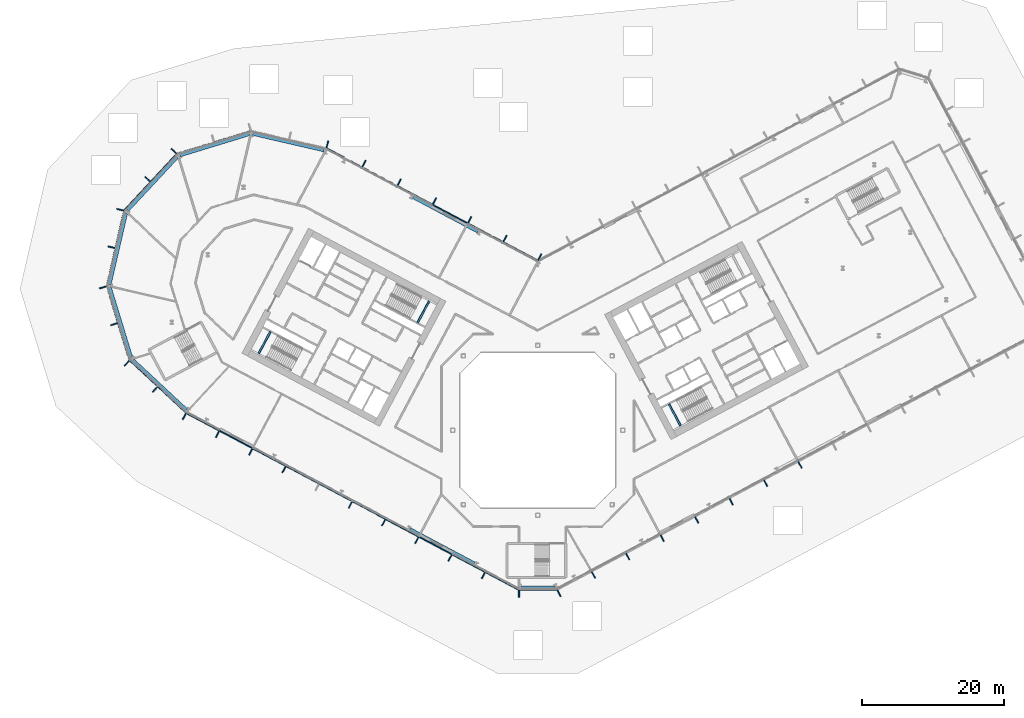
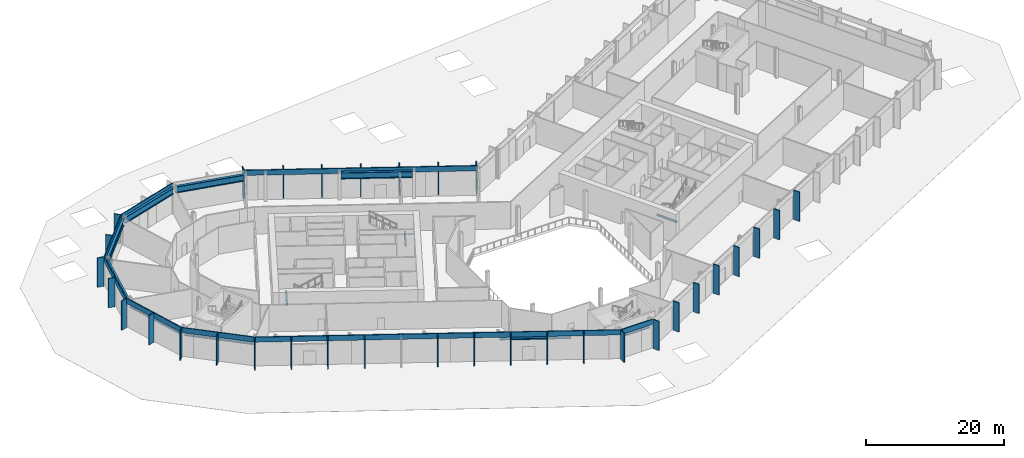
# One storey, part 6 of 30: 41 members, 12 beams, 10 elements without a shape of their own.
"""IFC4 building model written with IfcOpenShell, lengths in metres."""

from ifc_helpers import new_model, si_unit, direction, frame, origin, origin_2d, place, context, subcontext, project, spatial, rectangle, i_section, extrude, material, layer, layer_set, material_profile, profile_set, type_object, element, aggregate, save


model = new_model("IFC4")

# Units and contexts
model_context = context("Model", 3, precision=1e-05, world=origin(), true_north=direction((0.0, 1.0)))
body_context = subcontext(model_context, "Body", "Model", "MODEL_VIEW")
ifc_project = project(units=[si_unit("LENGTHUNIT", "METRE"), si_unit("AREAUNIT", "SQUARE_METRE"), si_unit("VOLUMEUNIT", "CUBIC_METRE"), si_unit("PLANEANGLEUNIT", "RADIAN"), si_unit("MASSUNIT", "GRAM", prefix="KILO")], contexts=[model_context])

# Site, building, storey
site_placement = place(None, origin())
site = spatial("IfcSite", under=ifc_project, at=site_placement, CompositionType="ELEMENT")
building_placement = place(site_placement, origin())
building = spatial("IfcBuilding", under=site, at=building_placement, Name="Cormorant Relay Tower", CompositionType="ELEMENT")
storey_placement = place(building_placement, frame((0.0, 0.0, 7.0)))
storey = spatial("IfcBuildingStorey", under=building, at=storey_placement, Name="L01", CompositionType="ELEMENT", Elevation=7.0)

# Curtain wall, member
ifc_material_1 = material(Name="Aluminium 6063-T6 anodised bronze", Category="aluminium")
ifc_layer = layer(ifc_material_1, 0.235107421875)
ifc_layer_set = layer_set([ifc_layer], Name="CW6 data hall curtain wall with mineral wool panels")
curtain_wall_type = type_object("IfcCurtainWallType", Name="CW6 data hall curtain wall with mineral wool panels", PredefinedType="NOTDEFINED", material=ifc_layer_set)
curtain_wall_1_placement = place(storey_placement, origin())
curtain_wall_1 = element("IfcCurtainWall", 1, at=curtain_wall_1_placement, inside=storey, type_object=curtain_wall_type, Name="CW6 curtain wall 1", PredefinedType="NOTDEFINED")
ifc_material_2 = material(Name="Aluminium 6063-T6 anodised bronze", Category="aluminium")
ifc_material_profile_1 = material_profile(ifc_material_2, rectangle(XDim=0.14990234375, YDim=1.0, at=origin_2d()), Name="AL 150x1000")
ifc_profile_set_1 = profile_set([ifc_material_profile_1], Name="Aluminium 6063-T6 anodised bronze")
member_type_1 = type_object("IfcMemberType", Name="CW6 bronze fin mullion 150 x 1000", PredefinedType="MULLION", material=ifc_profile_set_1)
member_1_placement = place(storey_placement, frame((-2.648681640625, -23.110595703125, 0.0), z_axis=(0.0, 0.0, 1.0), x_axis=(1.0, 0.0, 0.0)))
member_1 = element("IfcMember", 2, at=member_1_placement, type_object=member_type_1, Name="CW6 fin 1.1", PredefinedType="MULLION", context=body_context, shape_type="SweptSolid", body=[
    extrude(rectangle(XDim=0.14990234375, YDim=1.0, at=origin_2d()), origin(), (0.0, 0.0, 1.0), 5.199951171875),
])

# Curtain wall, members
curtain_wall_2_placement = place(storey_placement, origin())
curtain_wall_2 = element("IfcCurtainWall", 3, at=curtain_wall_2_placement, inside=storey, type_object=curtain_wall_type, Name="CW6 curtain wall 2", PredefinedType="NOTDEFINED")
member_2_placement = place(storey_placement, frame((2.993896484375, -23.0244140625, 0.0), z_axis=(0.0, 0.0, 1.0), x_axis=(0.882947592859, 0.469471562786, 0.0)))
member_2 = element("IfcMember", 4, at=member_2_placement, type_object=member_type_1, Name="CW6 fin 2.1", PredefinedType="MULLION", context=body_context, shape_type="SweptSolid", body=[
    extrude(rectangle(XDim=0.14990234375, YDim=1.0, at=origin_2d()), origin(), (0.0, 0.0, 1.0), 5.199951171875),
])
member_3_placement = place(storey_placement, frame((7.860595703125, -20.43701171875, 0.0), z_axis=(0.0, 0.0, 1.0), x_axis=(0.882947592859, 0.469471562786, 0.0)))
member_3 = element("IfcMember", 5, at=member_3_placement, type_object=member_type_1, Name="CW6 fin 2.2", PredefinedType="MULLION", context=body_context, shape_type="SweptSolid", body=[
    extrude(rectangle(XDim=0.14990234375, YDim=1.0, at=origin_2d()), origin(), (0.0, 0.0, 1.0), 5.199951171875),
])
member_4_placement = place(storey_placement, frame((12.727294921875, -17.84912109375, 0.0), z_axis=(0.0, 0.0, 1.0), x_axis=(0.882947592859, 0.469471562786, 0.0)))
member_4 = element("IfcMember", 6, at=member_4_placement, type_object=member_type_1, Name="CW6 fin 2.3", PredefinedType="MULLION", context=body_context, shape_type="SweptSolid", body=[
    extrude(rectangle(XDim=0.14990234375, YDim=1.0, at=origin_2d()), origin(), (0.0, 0.0, 1.0), 5.199951171875),
])
member_5_placement = place(storey_placement, frame((17.593994140625, -15.26171875, 0.0), z_axis=(0.0, 0.0, 1.0), x_axis=(0.882947592859, 0.469471562786, 0.0)))
member_5 = element("IfcMember", 7, at=member_5_placement, type_object=member_type_1, Name="CW6 fin 2.4", PredefinedType="MULLION", context=body_context, shape_type="SweptSolid", body=[
    extrude(rectangle(XDim=0.14990234375, YDim=1.0, at=origin_2d()), origin(), (0.0, 0.0, 1.0), 5.199951171875),
])
member_6_placement = place(storey_placement, frame((22.460693359375, -12.673828125, 0.0), z_axis=(0.0, 0.0, 1.0), x_axis=(0.882947592859, 0.469471562786, 0.0)))
member_6 = element("IfcMember", 8, at=member_6_placement, type_object=member_type_1, Name="CW6 fin 2.5", PredefinedType="MULLION", context=body_context, shape_type="SweptSolid", body=[
    extrude(rectangle(XDim=0.14990234375, YDim=1.0, at=origin_2d()), origin(), (0.0, 0.0, 1.0), 5.199951171875),
])
member_7_placement = place(storey_placement, frame((27.327392578125, -10.086181640625, 0.0), z_axis=(0.0, 0.0, 1.0), x_axis=(0.882947592859, 0.469471562786, 0.0)))
member_7 = element("IfcMember", 9, at=member_7_placement, type_object=member_type_1, Name="CW6 fin 2.6", PredefinedType="MULLION", context=body_context, shape_type="SweptSolid", body=[
    extrude(rectangle(XDim=0.14990234375, YDim=1.0, at=origin_2d()), origin(), (0.0, 0.0, 1.0), 5.199951171875),
])
member_8_placement = place(storey_placement, frame((32.194091796875, -7.49853515625, 0.0), z_axis=(0.0, 0.0, 1.0), x_axis=(0.882947592859, 0.469471562786, 0.0)))
member_8 = element("IfcMember", 10, at=member_8_placement, type_object=member_type_1, Name="CW6 fin 2.7", PredefinedType="MULLION", context=body_context, shape_type="SweptSolid", body=[
    extrude(rectangle(XDim=0.14990234375, YDim=1.0, at=origin_2d()), origin(), (0.0, 0.0, 1.0), 5.199951171875),
])
member_9_placement = place(storey_placement, frame((37.060546875, -4.910888671875, 0.0), z_axis=(0.0, 0.0, 1.0), x_axis=(0.882947592859, 0.469471562786, 0.0)))
member_9 = element("IfcMember", 11, at=member_9_placement, type_object=member_type_1, Name="CW6 fin 2.8", PredefinedType="MULLION", context=body_context, shape_type="SweptSolid", body=[
    extrude(rectangle(XDim=0.14990234375, YDim=1.0, at=origin_2d()), origin(), (0.0, 0.0, 1.0), 5.199951171875),
])
aggregate(curtain_wall_2, [member_2, member_3, member_4, member_5, member_6, member_7, member_8, member_9])

curtain_wall_3_placement = place(storey_placement, origin())
curtain_wall_3 = element("IfcCurtainWall", 12, at=curtain_wall_3_placement, inside=storey, type_object=curtain_wall_type, Name="CW6 curtain wall 7", PredefinedType="NOTDEFINED")
member_10_placement = place(storey_placement, frame((0.27880859375, 24.468017578125, 0.0), z_axis=(0.0, 0.0, 1.0), x_axis=(-0.882947592859, 0.469471562786, 0.0)))
member_10 = element("IfcMember", 13, at=member_10_placement, type_object=member_type_1, Name="CW6 fin 7.1", PredefinedType="MULLION", context=body_context, shape_type="SweptSolid", body=[
    extrude(rectangle(XDim=0.14990234375, YDim=1.0, at=origin_2d()), origin(), (0.0, 0.0, 1.0), 5.199951171875),
])
member_11_placement = place(storey_placement, frame((-4.6337890625, 27.080322265625, 0.0), z_axis=(0.0, 0.0, 1.0), x_axis=(-0.882947592859, 0.469471562786, 0.0)))
member_11 = element("IfcMember", 14, at=member_11_placement, type_object=member_type_1, Name="CW6 fin 7.2", PredefinedType="MULLION", context=body_context, shape_type="SweptSolid", body=[
    extrude(rectangle(XDim=0.14990234375, YDim=1.0, at=origin_2d()), origin(), (0.0, 0.0, 1.0), 5.199951171875),
])
member_12_placement = place(storey_placement, frame((-9.61279296875, 29.727783203125, 0.0), z_axis=(0.0, 0.0, 1.0), x_axis=(-0.882947592859, 0.469471562786, 0.0)))
member_12 = element("IfcMember", 15, at=member_12_placement, type_object=member_type_1, Name="CW6 fin 7.3", PredefinedType="MULLION", context=body_context, shape_type="SweptSolid", body=[
    extrude(rectangle(XDim=0.14990234375, YDim=1.0, at=origin_2d()), origin(), (0.0, 0.0, 1.0), 5.199951171875),
])
member_13_placement = place(storey_placement, frame((-14.591796875, 32.375, 0.0), z_axis=(0.0, 0.0, 1.0), x_axis=(-0.882947592859, 0.469471562786, 0.0)))
member_13 = element("IfcMember", 16, at=member_13_placement, type_object=member_type_1, Name="CW6 fin 7.4", PredefinedType="MULLION", context=body_context, shape_type="SweptSolid", body=[
    extrude(rectangle(XDim=0.14990234375, YDim=1.0, at=origin_2d()), origin(), (0.0, 0.0, 1.0), 5.199951171875),
])
member_14_placement = place(storey_placement, frame((-19.57080078125, 35.0224609375, 0.0), z_axis=(0.0, 0.0, 1.0), x_axis=(-0.882947592859, 0.469471562786, 0.0)))
member_14 = element("IfcMember", 17, at=member_14_placement, type_object=member_type_1, Name="CW6 fin 7.5", PredefinedType="MULLION", context=body_context, shape_type="SweptSolid", body=[
    extrude(rectangle(XDim=0.14990234375, YDim=1.0, at=origin_2d()), origin(), (0.0, 0.0, 1.0), 5.199951171875),
])
member_15_placement = place(storey_placement, frame((-24.5498046875, 37.669677734375, 0.0), z_axis=(0.0, 0.0, 1.0), x_axis=(-0.882947592859, 0.469471562786, 0.0)))
member_15 = element("IfcMember", 18, at=member_15_placement, type_object=member_type_1, Name="CW6 fin 7.6", PredefinedType="MULLION", context=body_context, shape_type="SweptSolid", body=[
    extrude(rectangle(XDim=0.14990234375, YDim=1.0, at=origin_2d()), origin(), (0.0, 0.0, 1.0), 5.199951171875),
])

# Curtain wall, member
curtain_wall_4_placement = place(storey_placement, origin())
curtain_wall_4 = element("IfcCurtainWall", 19, at=curtain_wall_4_placement, inside=storey, type_object=curtain_wall_type, Name="CW6 curtain wall 8", PredefinedType="NOTDEFINED")
member_16_placement = place(storey_placement, frame((-29.70849609375, 40.38427734375, 0.0), z_axis=(0.0, 0.0, 1.0), x_axis=(-0.974370064785, 0.224951054344, 0.0)))
member_16 = element("IfcMember", 20, at=member_16_placement, type_object=member_type_1, Name="CW6 fin 8.1", PredefinedType="MULLION", context=body_context, shape_type="SweptSolid", body=[
    extrude(rectangle(XDim=0.14990234375, YDim=1.0, at=origin_2d()), origin(), (0.0, 0.0, 1.0), 5.199951171875),
])
aggregate(curtain_wall_4, [member_16])

# Curtain wall, members
curtain_wall_5_placement = place(storey_placement, origin())
curtain_wall_5 = element("IfcCurtainWall", 21, at=curtain_wall_5_placement, inside=storey, type_object=curtain_wall_type, Name="CW6 curtain wall 10", PredefinedType="NOTDEFINED")
member_17_placement = place(storey_placement, frame((-51.3984375, 39.4365234375, 0.0), z_axis=(0.0, 0.0, 1.0), x_axis=(-0.681998360062, -0.731353701619, 0.0)))
member_17 = element("IfcMember", 22, at=member_17_placement, type_object=member_type_1, Name="CW6 fin 10.1", PredefinedType="MULLION", context=body_context, shape_type="SweptSolid", body=[
    extrude(rectangle(XDim=0.14990234375, YDim=1.0, at=origin_2d()), origin(), (0.0, 0.0, 1.0), 5.199951171875),
])
member_18_placement = place(storey_placement, frame((-55.105224609375, 35.46142578125, 0.0), z_axis=(0.0, 0.0, 1.0), x_axis=(-0.681998360062, -0.731353701619, 0.0)))
member_18 = element("IfcMember", 23, at=member_18_placement, type_object=member_type_1, Name="CW6 fin 10.2", PredefinedType="MULLION", context=body_context, shape_type="SweptSolid", body=[
    extrude(rectangle(XDim=0.14990234375, YDim=1.0, at=origin_2d()), origin(), (0.0, 0.0, 1.0), 5.199951171875),
])

curtain_wall_6_placement = place(storey_placement, origin())
curtain_wall_6 = element("IfcCurtainWall", 24, at=curtain_wall_6_placement, inside=storey, type_object=curtain_wall_type, Name="CW6 curtain wall 11", PredefinedType="NOTDEFINED")
member_19_placement = place(storey_placement, frame((-58.99072265625, 31.150390625, 0.0), z_axis=(0.0, 0.0, 1.0), x_axis=(-0.224951054344, -0.974370064785, 0.0)))
member_19 = element("IfcMember", 25, at=member_19_placement, type_object=member_type_1, Name="CW6 fin 11.1", PredefinedType="MULLION", context=body_context, shape_type="SweptSolid", body=[
    extrude(rectangle(XDim=0.14990234375, YDim=1.0, at=origin_2d()), origin(), (0.0, 0.0, 1.0), 5.199951171875),
])
member_20_placement = place(storey_placement, frame((-60.21337890625, 25.8544921875, 0.0), z_axis=(0.0, 0.0, 1.0), x_axis=(-0.224951054344, -0.974370064785, 0.0)))
member_20 = element("IfcMember", 26, at=member_20_placement, type_object=member_type_1, Name="CW6 fin 11.2", PredefinedType="MULLION", context=body_context, shape_type="SweptSolid", body=[
    extrude(rectangle(XDim=0.14990234375, YDim=1.0, at=origin_2d()), origin(), (0.0, 0.0, 1.0), 5.199951171875),
])

curtain_wall_7_placement = place(storey_placement, origin())
curtain_wall_7 = element("IfcCurtainWall", 27, at=curtain_wall_7_placement, inside=storey, type_object=curtain_wall_type, Name="CW6 curtain wall 12", PredefinedType="NOTDEFINED")
member_21_placement = place(storey_placement, frame((-61.422607421875, 20.178466796875, 0.0), z_axis=(0.0, 0.0, 1.0), x_axis=(0.292371704723, -0.956304755963, 0.0)))
member_21 = element("IfcMember", 28, at=member_21_placement, type_object=member_type_1, Name="CW6 fin 12.1", PredefinedType="MULLION", context=body_context, shape_type="SweptSolid", body=[
    extrude(rectangle(XDim=0.14990234375, YDim=1.0, at=origin_2d()), origin(), (0.0, 0.0, 1.0), 5.199951171875),
])
member_22_placement = place(storey_placement, frame((-59.83349609375, 14.980712890625, 0.0), z_axis=(0.0, 0.0, 1.0), x_axis=(0.292371704723, -0.956304755963, 0.0)))
member_22 = element("IfcMember", 29, at=member_22_placement, type_object=member_type_1, Name="CW6 fin 12.2", PredefinedType="MULLION", context=body_context, shape_type="SweptSolid", body=[
    extrude(rectangle(XDim=0.14990234375, YDim=1.0, at=origin_2d()), origin(), (0.0, 0.0, 1.0), 5.199951171875),
])

curtain_wall_8_placement = place(storey_placement, origin())
curtain_wall_8 = element("IfcCurtainWall", 30, at=curtain_wall_8_placement, inside=storey, type_object=curtain_wall_type, Name="CW6 curtain wall 13", PredefinedType="NOTDEFINED")
member_23_placement = place(storey_placement, frame((-58.04296875, 9.46044921875, 0.0), z_axis=(0.0, 0.0, 1.0), x_axis=(0.731353701619, -0.681998360062, 0.0)))
member_23 = element("IfcMember", 31, at=member_23_placement, type_object=member_type_1, Name="CW6 fin 13.1", PredefinedType="MULLION", context=body_context, shape_type="SweptSolid", body=[
    extrude(rectangle(XDim=0.14990234375, YDim=1.0, at=origin_2d()), origin(), (0.0, 0.0, 1.0), 5.199951171875),
])
member_24_placement = place(storey_placement, frame((-54.06787109375, 5.753662109375, 0.0), z_axis=(0.0, 0.0, 1.0), x_axis=(0.731353701619, -0.681998360062, 0.0)))
member_24 = element("IfcMember", 32, at=member_24_placement, type_object=member_type_1, Name="CW6 fin 13.2", PredefinedType="MULLION", context=body_context, shape_type="SweptSolid", body=[
    extrude(rectangle(XDim=0.14990234375, YDim=1.0, at=origin_2d()), origin(), (0.0, 0.0, 1.0), 5.199951171875),
])

curtain_wall_9_placement = place(storey_placement, origin())
curtain_wall_9 = element("IfcCurtainWall", 33, at=curtain_wall_9_placement, inside=storey, type_object=curtain_wall_type, Name="CW6 curtain wall 14", PredefinedType="NOTDEFINED")
member_25_placement = place(storey_placement, frame((-49.9365234375, 1.935302734375, 0.0), z_axis=(0.0, 0.0, 1.0), x_axis=(0.882947592859, -0.469471562786, 0.0)))
member_25 = element("IfcMember", 34, at=member_25_placement, type_object=member_type_1, Name="CW6 fin 14.1", PredefinedType="MULLION", context=body_context, shape_type="SweptSolid", body=[
    extrude(rectangle(XDim=0.14990234375, YDim=1.0, at=origin_2d()), origin(), (0.0, 0.0, 1.0), 5.199951171875),
])
member_26_placement = place(storey_placement, frame((-45.2421875, -0.560546875, 0.0), z_axis=(0.0, 0.0, 1.0), x_axis=(0.882947592859, -0.469471562786, 0.0)))
member_26 = element("IfcMember", 35, at=member_26_placement, type_object=member_type_1, Name="CW6 fin 14.2", PredefinedType="MULLION", context=body_context, shape_type="SweptSolid", body=[
    extrude(rectangle(XDim=0.14990234375, YDim=1.0, at=origin_2d()), origin(), (0.0, 0.0, 1.0), 5.199951171875),
])
member_27_placement = place(storey_placement, frame((-40.548095703125, -3.056640625, 0.0), z_axis=(0.0, 0.0, 1.0), x_axis=(0.882947592859, -0.469471562786, 0.0)))
member_27 = element("IfcMember", 36, at=member_27_placement, type_object=member_type_1, Name="CW6 fin 14.3", PredefinedType="MULLION", context=body_context, shape_type="SweptSolid", body=[
    extrude(rectangle(XDim=0.14990234375, YDim=1.0, at=origin_2d()), origin(), (0.0, 0.0, 1.0), 5.199951171875),
])
member_28_placement = place(storey_placement, frame((-35.853759765625, -5.552490234375, 0.0), z_axis=(0.0, 0.0, 1.0), x_axis=(0.882947592859, -0.469471562786, 0.0)))
member_28 = element("IfcMember", 37, at=member_28_placement, type_object=member_type_1, Name="CW6 fin 14.4", PredefinedType="MULLION", context=body_context, shape_type="SweptSolid", body=[
    extrude(rectangle(XDim=0.14990234375, YDim=1.0, at=origin_2d()), origin(), (0.0, 0.0, 1.0), 5.199951171875),
])
member_29_placement = place(storey_placement, frame((-26.46533203125, -10.544677734375, 0.0), z_axis=(0.0, 0.0, 1.0), x_axis=(0.882947592859, -0.469471562786, 0.0)))
member_29 = element("IfcMember", 38, at=member_29_placement, type_object=member_type_1, Name="CW6 fin 14.6", PredefinedType="MULLION", context=body_context, shape_type="SweptSolid", body=[
    extrude(rectangle(XDim=0.14990234375, YDim=1.0, at=origin_2d()), origin(), (0.0, 0.0, 1.0), 5.199951171875),
])
member_30_placement = place(storey_placement, frame((-21.77099609375, -13.04052734375, 0.0), z_axis=(0.0, 0.0, 1.0), x_axis=(0.882947592859, -0.469471562786, 0.0)))
member_30 = element("IfcMember", 39, at=member_30_placement, type_object=member_type_1, Name="CW6 fin 14.7", PredefinedType="MULLION", context=body_context, shape_type="SweptSolid", body=[
    extrude(rectangle(XDim=0.14990234375, YDim=1.0, at=origin_2d()), origin(), (0.0, 0.0, 1.0), 5.199951171875),
])
member_31_placement = place(storey_placement, frame((-17.07666015625, -15.53662109375, 0.0), z_axis=(0.0, 0.0, 1.0), x_axis=(0.882947592859, -0.469471562786, 0.0)))
member_31 = element("IfcMember", 40, at=member_31_placement, type_object=member_type_1, Name="CW6 fin 14.8", PredefinedType="MULLION", context=body_context, shape_type="SweptSolid", body=[
    extrude(rectangle(XDim=0.14990234375, YDim=1.0, at=origin_2d()), origin(), (0.0, 0.0, 1.0), 5.199951171875),
])
member_32_placement = place(storey_placement, frame((-12.38232421875, -18.032470703125, 0.0), z_axis=(0.0, 0.0, 1.0), x_axis=(0.882947592859, -0.469471562786, 0.0)))
member_32 = element("IfcMember", 41, at=member_32_placement, type_object=member_type_1, Name="CW6 fin 14.9", PredefinedType="MULLION", context=body_context, shape_type="SweptSolid", body=[
    extrude(rectangle(XDim=0.14990234375, YDim=1.0, at=origin_2d()), origin(), (0.0, 0.0, 1.0), 5.199951171875),
])
member_33_placement = place(storey_placement, frame((-7.688232421875, -20.528564453125, 0.0), z_axis=(0.0, 0.0, 1.0), x_axis=(0.882947592859, -0.469471562786, 0.0)))
member_33 = element("IfcMember", 42, at=member_33_placement, type_object=member_type_1, Name="CW6 fin 14.10", PredefinedType="MULLION", context=body_context, shape_type="SweptSolid", body=[
    extrude(rectangle(XDim=0.14990234375, YDim=1.0, at=origin_2d()), origin(), (0.0, 0.0, 1.0), 5.199951171875),
])

# Member
ifc_material_3 = material(Name="Aluminium 6063-T6 anodised bronze", Category="aluminium")
ifc_material_profile_2 = material_profile(ifc_material_3, rectangle(XDim=0.159912109375, YDim=0.89990234375, at=origin_2d()), Name="AL 160x900")
ifc_profile_set_2 = profile_set([ifc_material_profile_2], Name="Aluminium 6063-T6 anodised bronze")
member_type_2 = type_object("IfcMemberType", Name="CW6 bronze transom 160 x 900", PredefinedType="USERDEFINED", material=ifc_profile_set_2)
member_34_placement = place(storey_placement, frame((-2.648681640625, -22.530517578125, 4.75), z_axis=(1.0, 0.0, 0.0), x_axis=(0.0, 1.0, 0.0)))
member_34 = element("IfcMember", 43, at=member_34_placement, type_object=member_type_2, Name="CW6 transom 1", ObjectType="TRANSOM", PredefinedType="USERDEFINED", context=body_context, shape_type="SweptSolid", body=[
    extrude(rectangle(XDim=0.159912109375, YDim=0.89990234375, at=origin_2d()), origin(), (0.0, 0.0, 1.0), 5.29736328125),
])

aggregate(curtain_wall_1, [member_1, member_34])

member_35_placement = place(storey_placement, frame((0.07275390625, 23.9208984375, 4.75), z_axis=(-0.882949271414, 0.46946840587, 0.0), x_axis=(-0.46946840587, -0.882949271414, 0.0)))
member_35 = element("IfcMember", 44, at=member_35_placement, type_object=member_type_2, Name="CW6 transom 7", ObjectType="TRANSOM", PredefinedType="USERDEFINED", context=body_context, shape_type="SweptSolid", body=[
    extrude(rectangle(XDim=0.159912109375, YDim=0.89990234375, at=origin_2d()), origin(), (0.0, 0.0, 1.0), 33.833984375),
])

aggregate(curtain_wall_3, [member_10, member_11, member_12, member_13, member_14, member_15, member_35])

# Curtain wall, member
curtain_wall_10_placement = place(storey_placement, origin())
curtain_wall_10 = element("IfcCurtainWall", 45, at=curtain_wall_10_placement, inside=storey, type_object=curtain_wall_type, Name="CW6 curtain wall 9", PredefinedType="NOTDEFINED")
member_36_placement = place(storey_placement, frame((-40.5107421875, 42.26171875, 4.75), z_axis=(-0.956304833932, -0.292371449698, 0.0), x_axis=(0.292371449698, -0.956304833932, 0.0)))
member_36 = element("IfcMember", 46, at=member_36_placement, type_object=member_type_2, Name="CW6 transom 9", ObjectType="TRANSOM", PredefinedType="USERDEFINED", context=body_context, shape_type="SweptSolid", body=[
    extrude(rectangle(XDim=0.159912109375, YDim=0.89990234375, at=origin_2d()), origin(), (0.0, 0.0, 1.0), 10.87060546875),
])
aggregate(curtain_wall_10, [member_36])

# Member
member_37_placement = place(storey_placement, frame((-50.974365234375, 39.041015625, 4.75), z_axis=(-0.681993299437, -0.731358420696, 0.0), x_axis=(0.731358420696, -0.681993299437, 0.0)))
member_37 = element("IfcMember", 47, at=member_37_placement, type_object=member_type_2, Name="CW6 transom 10", ObjectType="TRANSOM", PredefinedType="USERDEFINED", context=body_context, shape_type="SweptSolid", body=[
    extrude(rectangle(XDim=0.159912109375, YDim=0.89990234375, at=origin_2d()), origin(), (0.0, 0.0, 1.0), 10.870361328125),
])

aggregate(curtain_wall_5, [member_17, member_18, member_37])

member_38_placement = place(storey_placement, frame((-58.425537109375, 31.02001953125, 4.75), z_axis=(-0.22495136131, -0.974369993916, 0.0), x_axis=(0.974369993916, -0.22495136131, 0.0)))
member_38 = element("IfcMember", 48, at=member_38_placement, type_object=member_type_2, Name="CW6 transom 11", ObjectType="TRANSOM", PredefinedType="USERDEFINED", context=body_context, shape_type="SweptSolid", body=[
    extrude(rectangle(XDim=0.159912109375, YDim=0.89990234375, at=origin_2d()), origin(), (0.0, 0.0, 1.0), 10.870361328125),
])

aggregate(curtain_wall_6, [member_19, member_20, member_38])

member_39_placement = place(storey_placement, frame((-60.8681640625, 20.347900390625, 4.75), z_axis=(0.292377729282, -0.95630291405, 0.0), x_axis=(0.95630291405, 0.292377729282, 0.0)))
member_39 = element("IfcMember", 49, at=member_39_placement, type_object=member_type_2, Name="CW6 transom 12", ObjectType="TRANSOM", PredefinedType="USERDEFINED", context=body_context, shape_type="SweptSolid", body=[
    extrude(rectangle(XDim=0.159912109375, YDim=0.89990234375, at=origin_2d()), origin(), (0.0, 0.0, 1.0), 10.870361328125),
])

aggregate(curtain_wall_7, [member_21, member_22, member_39])

member_40_placement = place(storey_placement, frame((-57.6474609375, 9.884521484375, 4.75), z_axis=(0.731358420696, -0.681993299437, 0.0), x_axis=(0.681993299437, 0.731358420696, 0.0)))
member_40 = element("IfcMember", 50, at=member_40_placement, type_object=member_type_2, Name="CW6 transom 13", ObjectType="TRANSOM", PredefinedType="USERDEFINED", context=body_context, shape_type="SweptSolid", body=[
    extrude(rectangle(XDim=0.159912109375, YDim=0.89990234375, at=origin_2d()), origin(), (0.0, 0.0, 1.0), 10.870361328125),
])

aggregate(curtain_wall_8, [member_23, member_24, member_40])

member_41_placement = place(storey_placement, frame((-49.664306640625, 2.447509765625, 4.75), z_axis=(0.882946630435, -0.469473372838, 0.0), x_axis=(0.469473372838, 0.882946630435, 0.0)))
member_41 = element("IfcMember", 51, at=member_41_placement, type_object=member_type_2, Name="CW6 transom 14", ObjectType="TRANSOM", PredefinedType="USERDEFINED", context=body_context, shape_type="SweptSolid", body=[
    extrude(rectangle(XDim=0.159912109375, YDim=0.89990234375, at=origin_2d()), origin(), (0.0, 0.0, 1.0), 53.165771484375),
])

aggregate(curtain_wall_9, [member_25, member_26, member_27, member_28, member_29, member_30, member_31, member_32, member_33, member_41])

# Beams
ifc_material_4 = material(Name="Steel ASTM A992 (Fy 345 MPa)", Category="steel")
ifc_material_profile_3 = material_profile(ifc_material_4, i_section(OverallWidth=0.408935546875, OverallDepth=1.137939453125, WebThickness=0.031005859375, FlangeThickness=0.05517578125, FilletRadius=0.02001953125, at=origin_2d()), Name="W1100x607")
ifc_profile_set_3 = profile_set([ifc_material_profile_3], Name="Steel ASTM A992 (Fy 345 MPa)")
beam_type_1 = type_object("IfcBeamType", Name="Spandrel W1100x607", PredefinedType="SPANDREL", material=ifc_profile_set_3)
beam_1_placement = place(storey_placement, frame((-2.331787109375, -22.171142578125, 4.18115234375), z_axis=(1.0, 0.0, 0.0), x_axis=(0.0, 1.0, 0.0)))
element("IfcBeam", 52, at=beam_1_placement, inside=storey, type_object=beam_type_1, Name="Spandrel beam L01-001", PredefinedType="SPANDREL", context=body_context, shape_type="SweptSolid", body=[
    extrude(i_section(OverallWidth=0.408935546875, OverallDepth=1.137939453125, WebThickness=0.031005859375, FlangeThickness=0.05517578125, FilletRadius=0.02001953125, at=origin_2d()), origin(), (0.0, 0.0, 1.0), 4.71533203125),
])
beam_2_placement = place(storey_placement, frame((-8.442138671875, 28.041015625, 4.18115234375), z_axis=(-0.882941792792, 0.469482470963, 0.0), x_axis=(-0.469482470963, -0.882941792792, 0.0)))
element("IfcBeam", 53, at=beam_2_placement, inside=storey, type_object=beam_type_1, Name="Spandrel beam L01-007", PredefinedType="SPANDREL", context=body_context, shape_type="SweptSolid", body=[
    extrude(i_section(OverallWidth=0.408935546875, OverallDepth=1.137939453125, WebThickness=0.031005859375, FlangeThickness=0.05517578125, FilletRadius=0.02001953125, at=origin_2d()), origin(), (0.0, 0.0, 1.0), 10.363037109375),
])
beam_3_placement = place(storey_placement, frame((-30.184814453125, 39.530029296875, 4.18115234375), z_axis=(-0.974369683491, 0.224952705905, 0.0), x_axis=(-0.224952705905, -0.974369683491, 0.0)))
element("IfcBeam", 54, at=beam_3_placement, inside=storey, type_object=beam_type_1, Name="Spandrel beam L01-008", PredefinedType="SPANDREL", context=body_context, shape_type="SweptSolid", body=[
    extrude(i_section(OverallWidth=0.408935546875, OverallDepth=1.137939453125, WebThickness=0.031005859375, FlangeThickness=0.05517578125, FilletRadius=0.02001953125, at=origin_2d()), origin(), (0.0, 0.0, 1.0), 10.3310546875),
])
beam_4_placement = place(storey_placement, frame((-40.716796875, 41.82275390625, 4.18115234375), z_axis=(-0.956304908485, -0.292371205845, 0.0), x_axis=(0.292371205845, -0.956304908485, 0.0)))
element("IfcBeam", 55, at=beam_4_placement, inside=storey, type_object=beam_type_1, Name="Spandrel beam L01-009", PredefinedType="SPANDREL", context=body_context, shape_type="SweptSolid", body=[
    extrude(i_section(OverallWidth=0.408935546875, OverallDepth=1.137939453125, WebThickness=0.031005859375, FlangeThickness=0.05517578125, FilletRadius=0.02001953125, at=origin_2d()), origin(), (0.0, 0.0, 1.0), 10.278564453125),
])
beam_5_placement = place(storey_placement, frame((-50.93359375, 38.557373046875, 4.18115234375), z_axis=(-0.682005863937, -0.731346704071, 0.0), x_axis=(0.731346704071, -0.682005863937, 0.0)))
element("IfcBeam", 56, at=beam_5_placement, inside=storey, type_object=beam_type_1, Name="Spandrel beam L01-010", PredefinedType="SPANDREL", context=body_context, shape_type="SweptSolid", body=[
    extrude(i_section(OverallWidth=0.408935546875, OverallDepth=1.137939453125, WebThickness=0.031005859375, FlangeThickness=0.05517578125, FilletRadius=0.02001953125, at=origin_2d()), origin(), (0.0, 0.0, 1.0), 10.277099609375),
])
beam_6_placement = place(storey_placement, frame((-58.1484375, 30.6220703125, 4.18115234375), z_axis=(-0.224956659484, -0.97436877072, 0.0), x_axis=(0.97436877072, -0.224956659484, 0.0)))
element("IfcBeam", 57, at=beam_6_placement, inside=storey, type_object=beam_type_1, Name="Spandrel beam L01-011", PredefinedType="SPANDREL", context=body_context, shape_type="SweptSolid", body=[
    extrude(i_section(OverallWidth=0.408935546875, OverallDepth=1.137939453125, WebThickness=0.031005859375, FlangeThickness=0.05517578125, FilletRadius=0.02001953125, at=origin_2d()), origin(), (0.0, 0.0, 1.0), 10.277587890625),
])
beam_7_placement = place(storey_placement, frame((-60.42919921875, 20.14208984375, 4.18115234375), z_axis=(0.292364564847, -0.956306938813, 0.0), x_axis=(0.956306938813, 0.292364564847, 0.0)))
element("IfcBeam", 58, at=beam_7_placement, inside=storey, type_object=beam_type_1, Name="Spandrel beam L01-012", PredefinedType="SPANDREL", context=body_context, shape_type="SweptSolid", body=[
    extrude(i_section(OverallWidth=0.408935546875, OverallDepth=1.137939453125, WebThickness=0.031005859375, FlangeThickness=0.05517578125, FilletRadius=0.02001953125, at=origin_2d()), origin(), (0.0, 0.0, 1.0), 10.27880859375),
])
beam_8_placement = place(storey_placement, frame((-57.163818359375, 9.925048828125, 4.18115234375), z_axis=(0.731361805756, -0.681989669336, 0.0), x_axis=(0.681989669336, 0.731361805756, 0.0)))
element("IfcBeam", 59, at=beam_8_placement, inside=storey, type_object=beam_type_1, Name="Spandrel beam L01-013", PredefinedType="SPANDREL", context=body_context, shape_type="SweptSolid", body=[
    extrude(i_section(OverallWidth=0.408935546875, OverallDepth=1.137939453125, WebThickness=0.031005859375, FlangeThickness=0.05517578125, FilletRadius=0.02001953125, at=origin_2d()), origin(), (0.0, 0.0, 1.0), 10.30029296875),
])
beam_9_placement = place(storey_placement, frame((-18.04638671875, -13.95703125, 4.18115234375), z_axis=(0.882942412403, -0.469481305677, 0.0), x_axis=(0.469481305677, 0.882942412403, 0.0)))
element("IfcBeam", 60, at=beam_9_placement, inside=storey, type_object=beam_type_1, Name="Spandrel beam L01-014", PredefinedType="SPANDREL", context=body_context, shape_type="SweptSolid", body=[
    extrude(i_section(OverallWidth=0.408935546875, OverallDepth=1.137939453125, WebThickness=0.031005859375, FlangeThickness=0.05517578125, FilletRadius=0.02001953125, at=origin_2d()), origin(), (0.0, 0.0, 1.0), 10.363525390625),
])
ifc_material_5 = material(Name="Concrete 50 MPa", Category="concrete")
ifc_material_profile_4 = material_profile(ifc_material_5, rectangle(XDim=0.25, YDim=0.300048828125, at=origin_2d()), Name="RC 250x300")
ifc_profile_set_4 = profile_set([ifc_material_profile_4], Name="Concrete 50 MPa")
beam_type_2 = type_object("IfcBeamType", Name="Stair landing ledge beam 250x300", PredefinedType="BEAM", material=ifc_profile_set_4)
for number, where, z_axis, x_axis, name in (
    (61, (-16.9677734375, 15.1943359375, 2.25), (0.469463917486, 0.882951657895, 0.0), (-0.882951657895, 0.469463917486, 0.0), "A1 landing ledge beam"),
    (62, (-37.77490234375, 13.912841796875, 2.25), (-0.469519084434, -0.88292232351, 0.0), (0.88292232351, -0.469519084434, 0.0), "A2 landing ledge beam"),
    (63, (18.55322265625, 3.6923828125, 2.25), (0.469463917486, -0.882951657895, 0.0), (0.882951657895, 0.469463917486, 0.0), "B1 landing ledge beam"),
):
    element("IfcBeam", number, at=place(storey_placement, frame(where, z_axis=z_axis, x_axis=x_axis)), inside=storey, type_object=beam_type_2, Name=name, PredefinedType="BEAM", context=body_context, shape_type="SweptSolid", body=[
        extrude(rectangle(XDim=0.25, YDim=0.300048828125, at=origin_2d()), origin(), (0.0, 0.0, 1.0), 3.449951171875),
    ])

save(model, "model.ifc")
